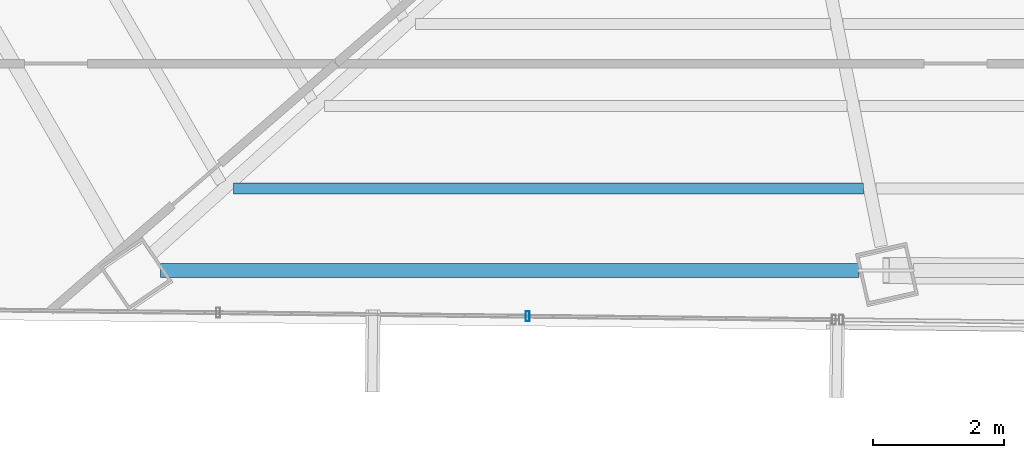
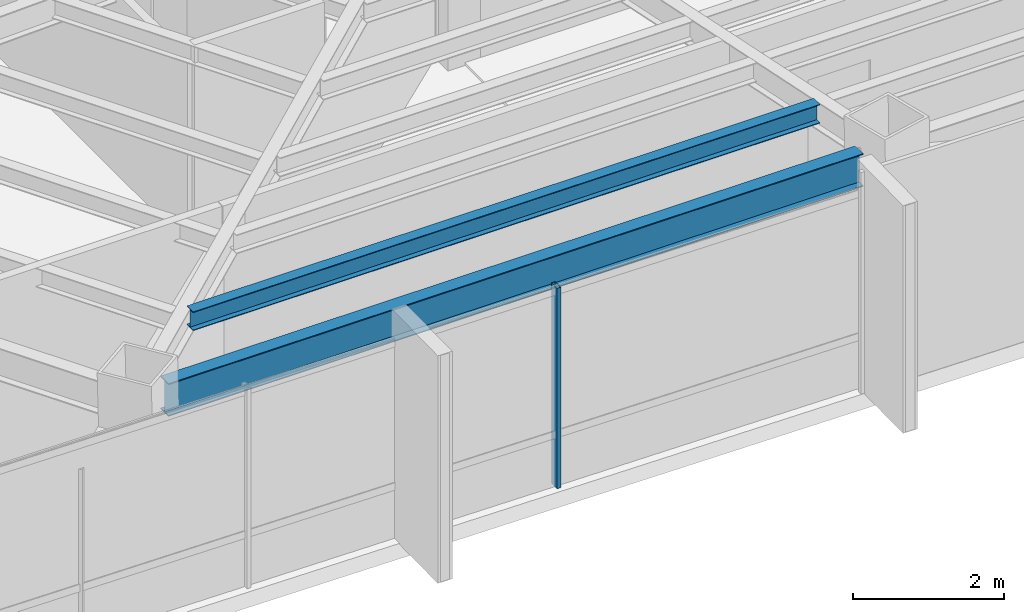
# One storey, part 5 of 40: 2 beams, 1 member, 1 element without a shape of its own.
"""IFC4 building model written with IfcOpenShell, lengths in metres."""

from ifc_helpers import new_model, si_unit, direction, frame, origin, origin_2d, place, context, subcontext, project, spatial, hollow_rectangle, i_section, extrude, source, transform, mapped, material, material_profile, profile_set, type_object, type_shapes, element, aggregate, save


model = new_model("IFC4")

# Units and contexts
model_context = context("Model", 3, precision=1e-05, world=origin(), true_north=direction((0.0, 1.0)))
body_context = subcontext(model_context, "Body", "Model", "MODEL_VIEW")
ifc_project = project(units=[si_unit("LENGTHUNIT", "METRE"), si_unit("AREAUNIT", "SQUARE_METRE"), si_unit("VOLUMEUNIT", "CUBIC_METRE"), si_unit("PLANEANGLEUNIT", "RADIAN"), si_unit("MASSUNIT", "GRAM", prefix="KILO")], contexts=[model_context])

# Site, building, storey
site_placement = place(None, origin())
site = spatial("IfcSite", under=ifc_project, at=site_placement, CompositionType="ELEMENT")
building_placement = place(site_placement, origin())
building = spatial("IfcBuilding", under=site, at=building_placement, Name="Caelisora Broadcast Tower", CompositionType="ELEMENT")
storey_placement = place(building_placement, frame((0.0, 0.0, 216.89990234375)))
storey = spatial("IfcBuildingStorey", under=building, at=storey_placement, Name="L57", CompositionType="ELEMENT", Elevation=216.89990234375)

# Beams
ifc_material_1 = material(Name="Steel Grade 350 (AS/NZS 3679.1)", Category="steel")
ifc_material_profile_1 = material_profile(ifc_material_1, i_section(OverallWidth=0.208984375, OverallDepth=0.532958984375, WebThickness=0.01025390625, FlangeThickness=0.015625, at=origin_2d()), Name="Steel Grade 350 (AS/NZS 3679.1)")
ifc_profile_set_1 = profile_set([ifc_material_profile_1], Name="Steel Grade 350 (AS/NZS 3679.1)")
beam_type_1 = type_object("IfcBeamType", Name="PG05", PredefinedType="BEAM", material=ifc_profile_set_1)
shared_shape_1 = source(origin(), body_context, "Body", "SweptSolid", [
    extrude(i_section(OverallWidth=0.208984375, OverallDepth=0.532958984375, WebThickness=0.01025390625, FlangeThickness=0.015625, at=origin_2d()), origin(), (0.0, 0.0, 1.0), 10.6552734375),
])
type_shapes(beam_type_1, [shared_shape_1])
beam_1_placement = place(storey_placement, frame((21.18505859375, 8.621826171875, 2.983642578125), z_axis=(1.0, 0.0, 0.0), x_axis=(0.0, 1.0, 0.0)))
element("IfcBeam", 1, at=beam_1_placement, inside=storey, type_object=beam_type_1, Name="L57 beam PG05", PredefinedType="BEAM", context=body_context, shape_type="MappedRepresentation", body=[
    mapped(shared_shape_1, transform((0.0, 0.0, 0.0), scale=1.0)),
])
ifc_material_profile_2 = material_profile(ifc_material_1, i_section(OverallWidth=0.166015625, OverallDepth=0.30712890625, WebThickness=0.006591796875, FlangeThickness=0.01171875, at=origin_2d()), Name="Steel Grade 350 (AS/NZS 3679.1)")
ifc_profile_set_2 = profile_set([ifc_material_profile_2], Name="Steel Grade 350 (AS/NZS 3679.1)")
beam_type_2 = type_object("IfcBeamType", Name="SB03", PredefinedType="JOIST", material=ifc_profile_set_2)
shared_shape_2 = source(origin(), body_context, "Body", "SweptSolid", [
    extrude(i_section(OverallWidth=0.166015625, OverallDepth=0.30712890625, WebThickness=0.006591796875, FlangeThickness=0.01171875, at=origin_2d()), origin(), (0.0, 0.0, 1.0), 9.6123046875),
])
type_shapes(beam_type_2, [shared_shape_2])
beam_2_placement = place(storey_placement, frame((22.298583984375, 9.875732421875, 3.096435546875), z_axis=(1.0, 0.0, 0.0), x_axis=(0.0, 1.0, 0.0)))
element("IfcBeam", 2, at=beam_2_placement, inside=storey, type_object=beam_type_2, Name="L57 beam SB03", PredefinedType="JOIST", context=body_context, shape_type="MappedRepresentation", body=[
    mapped(shared_shape_2, transform((0.0, 0.0, 0.0), scale=1.0)),
])

# Curtain wall, member
ifc_material_2 = material(Name="Unitised Aluminium and Low-E Glass Curtain Wall", Category="glass")
curtain_wall_type = type_object("IfcCurtainWallType", Name="CW-Z4", PredefinedType="NOTDEFINED", material=ifc_material_2)
curtain_wall_placement = place(storey_placement, origin())
curtain_wall = element("IfcCurtainWall", 3, at=curtain_wall_placement, inside=storey, type_object=curtain_wall_type, Name="L57 curtain wall CW-Z4", PredefinedType="NOTDEFINED")
ifc_material_3 = material(Name="Aluminium 6063-T6 Anodised Terracotta Bronze", Category="aluminium")
ifc_material_profile_3 = material_profile(ifc_material_3, hollow_rectangle(XDim=0.06005859375, YDim=0.14990234375, WallThickness=0.00341796875, at=origin_2d()), Name="Aluminium 6063-T6 Anodised Terracotta Bronze")
ifc_profile_set_3 = profile_set([ifc_material_profile_3], Name="Aluminium 6063-T6 Anodised Terracotta Bronze")
member_type = type_object("IfcMemberType", Name="CWM-03", PredefinedType="MULLION", material=ifc_profile_set_3)
shared_shape_3 = source(origin(), body_context, "Body", "SweptSolid", [
    extrude(hollow_rectangle(XDim=0.06005859375, YDim=0.14990234375, WallThickness=0.00341796875, at=origin_2d()), origin(), (0.0, 0.0, 1.0), 3.25),
])
type_shapes(member_type, [shared_shape_3])
member_placement = place(storey_placement, frame((26.787109375, 7.92431640625, 0.0), z_axis=(0.0, 0.0, 1.0), x_axis=(1.0, 0.0, 0.0)))
member = element("IfcMember", 4, at=member_placement, type_object=member_type, Name="L57-CW-B07 mullion #1", PredefinedType="MULLION", context=body_context, shape_type="MappedRepresentation", body=[
    mapped(shared_shape_3, transform((0.0, 0.0, 0.0), scale=1.0)),
])
aggregate(curtain_wall, [member])

save(model, "model.ifc")
